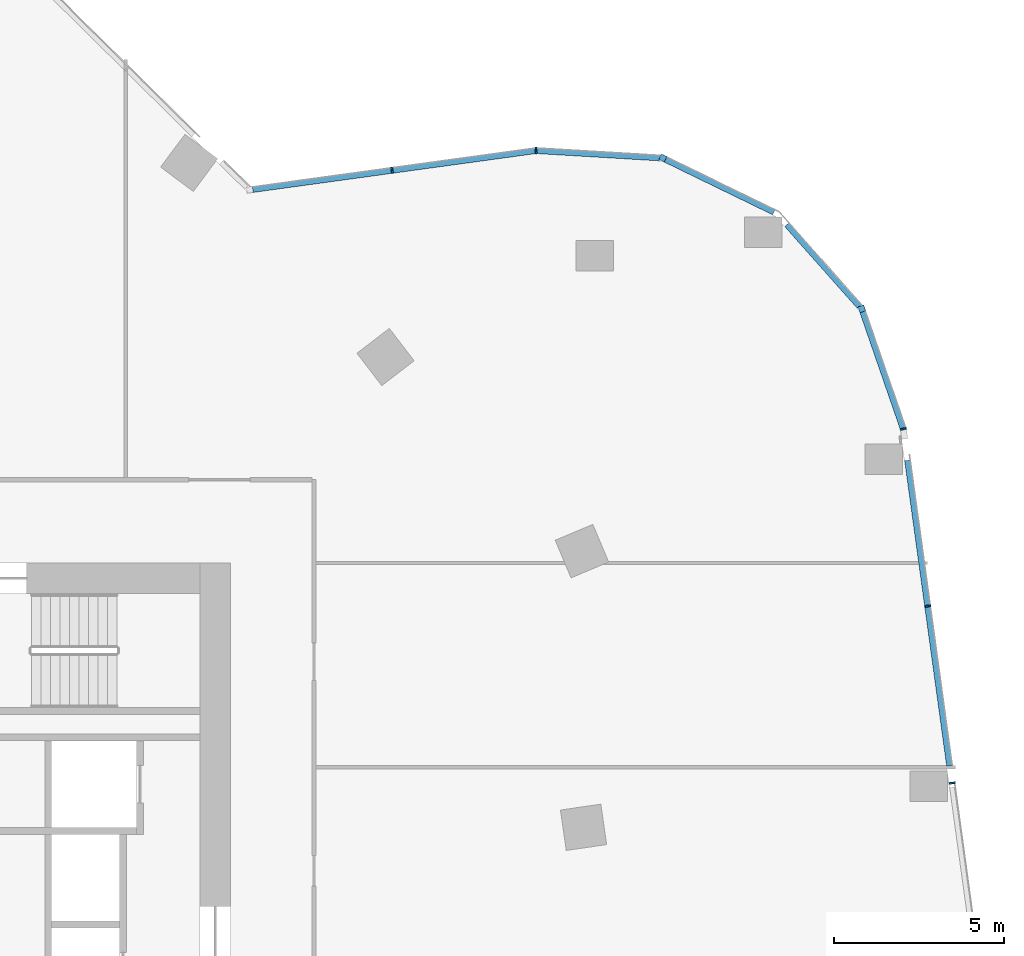
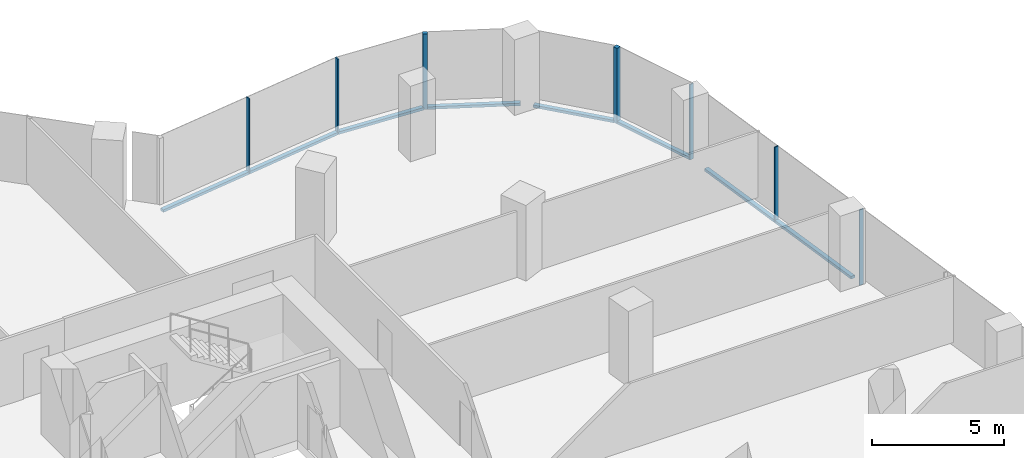
# One storey, part 11 of 27: 13 members, 6 elements without a shape of their own.
"""IFC4 building model written with IfcOpenShell, lengths in metres."""

from ifc_helpers import new_model, si_unit, direction, frame, origin, origin_2d, place, context, subcontext, project, spatial, rectangle, extrude, material, material_profile, profile_set, type_object, element, aggregate, save


model = new_model("IFC4")

# Units and contexts
model_context = context("Model", 3, precision=1e-05, world=origin(), true_north=direction((0.0, 1.0)))
body_context = subcontext(model_context, "Body", "Model", "MODEL_VIEW")
ifc_project = project(units=[si_unit("LENGTHUNIT", "METRE"), si_unit("AREAUNIT", "SQUARE_METRE"), si_unit("VOLUMEUNIT", "CUBIC_METRE"), si_unit("PLANEANGLEUNIT", "RADIAN"), si_unit("MASSUNIT", "GRAM", prefix="KILO")], contexts=[model_context])

# Site, building, storey
site_placement = place(None, origin())
site = spatial("IfcSite", under=ifc_project, at=site_placement, CompositionType="ELEMENT")
building_placement = place(site_placement, origin())
building = spatial("IfcBuilding", under=site, at=building_placement, Name="Orlundy Tower", CompositionType="ELEMENT")
storey_placement = place(building_placement, frame((0.0, 0.0, 192.10009765625)))
storey = spatial("IfcBuildingStorey", under=building, at=storey_placement, Name="L50", CompositionType="ELEMENT", Elevation=192.10009765625)

# Curtain wall, member
ifc_material_1 = material(Name="Aluminium bronze anodised", Category="aluminium")
curtain_wall_type = type_object("IfcCurtainWallType", Name="CW1 wall", PredefinedType="NOTDEFINED", material=ifc_material_1)
curtain_wall_1_placement = place(storey_placement, origin())
curtain_wall_1 = element("IfcCurtainWall", 1, at=curtain_wall_1_placement, inside=storey, type_object=curtain_wall_type, Name="CW1 run 08", PredefinedType="NOTDEFINED")
ifc_material_2 = material(Name="Aluminium bronze anodised", Category="aluminium")
ifc_material_profile_1 = material_profile(ifc_material_2, rectangle(XDim=0.179931640625, YDim=0.179931640625, at=origin_2d()), Name="CW1 corner post 180x180")
ifc_profile_set_1 = profile_set([ifc_material_profile_1], Name="Aluminium bronze anodised")
member_type_1 = type_object("IfcMemberType", Name="CW1 corner post 180x180", PredefinedType="MULLION", material=ifc_profile_set_1)
member_1_placement = place(storey_placement, frame((31.708251953125, 23.90673828125, -0.420166015625), z_axis=(0.0, 0.0, 1.0), x_axis=(0.43725937423, 0.89933544334, 0.0)))
member_1 = element("IfcMember", 2, at=member_1_placement, type_object=member_type_1, Name="CW1 mullion 29", PredefinedType="MULLION", context=body_context, shape_type="SweptSolid", body=[
    extrude(rectangle(XDim=0.179931640625, YDim=0.179931640625, at=origin_2d()), origin(), (0.0, 0.0, 1.0), 3.5),
])

curtain_wall_2_placement = place(storey_placement, origin())
curtain_wall_2 = element("IfcCurtainWall", 3, at=curtain_wall_2_placement, inside=storey, type_object=curtain_wall_type, Name="CW1 run 010", PredefinedType="NOTDEFINED")
member_2_placement = place(storey_placement, frame((37.55810546875, 19.471435546875, -0.420166015625), z_axis=(0.0, 0.0, 1.0), x_axis=(0.945034174317, 0.32697157273, 0.0)))
member_2 = element("IfcMember", 4, at=member_2_placement, type_object=member_type_1, Name="CW1 mullion 31", PredefinedType="MULLION", context=body_context, shape_type="SweptSolid", body=[
    extrude(rectangle(XDim=0.179931640625, YDim=0.179931640625, at=origin_2d()), origin(), (0.0, 0.0, 1.0), 3.5),
])

curtain_wall_3_placement = place(storey_placement, origin())
curtain_wall_3 = element("IfcCurtainWall", 5, at=curtain_wall_3_placement, inside=storey, type_object=curtain_wall_type, Name="CW1 run 06", PredefinedType="NOTDEFINED")
ifc_material_3 = material(Name="Aluminium bronze anodised", Category="aluminium")
ifc_material_profile_2 = material_profile(ifc_material_3, rectangle(XDim=0.179931640625, YDim=0.050048828125, at=origin_2d()), Name="CW1 mullion 50x180")
ifc_profile_set_2 = profile_set([ifc_material_profile_2], Name="Aluminium bronze anodised")
member_type_2 = type_object("IfcMemberType", Name="CW1 mullion 50x180", PredefinedType="MULLION", material=ifc_profile_set_2)
member_3_placement = place(storey_placement, frame((23.746337890625, 23.546142578125, -0.420166015625), z_axis=(0.0, 0.0, 1.0), x_axis=(-0.136185270904, 0.990683386349, 0.0)))
member_3 = element("IfcMember", 6, at=member_3_placement, type_object=member_type_2, Name="CW1 mullion 27", PredefinedType="MULLION", context=body_context, shape_type="SweptSolid", body=[
    extrude(rectangle(XDim=0.179931640625, YDim=0.050048828125, at=origin_2d()), origin(), (0.0, 0.0, 1.0), 3.5),
])

curtain_wall_4_placement = place(storey_placement, origin())
curtain_wall_4 = element("IfcCurtainWall", 7, at=curtain_wall_4_placement, inside=storey, type_object=curtain_wall_type, Name="CW1 run 07", PredefinedType="NOTDEFINED")
member_4_placement = place(storey_placement, frame((27.9814453125, 24.12841796875, -0.420166015625), z_axis=(0.0, 0.0, 1.0), x_axis=(-0.038600530581, 0.9992547218, 0.0)))
member_4 = element("IfcMember", 8, at=member_4_placement, type_object=member_type_2, Name="CW1 mullion 28", PredefinedType="MULLION", context=body_context, shape_type="SweptSolid", body=[
    extrude(rectangle(XDim=0.179931640625, YDim=0.050048828125, at=origin_2d()), origin(), (0.0, 0.0, 1.0), 3.5),
])

# Curtain wall, members
curtain_wall_5_placement = place(storey_placement, origin())
curtain_wall_5 = element("IfcCurtainWall", 9, at=curtain_wall_5_placement, inside=storey, type_object=curtain_wall_type, Name="CW1 run 011", PredefinedType="NOTDEFINED")
member_5_placement = place(storey_placement, frame((38.779052734375, 15.943115234375, -0.420166015625), z_axis=(0.0, 0.0, 1.0), x_axis=(0.972536597982, 0.232750006628, 0.0)))
member_5 = element("IfcMember", 10, at=member_5_placement, type_object=member_type_2, Name="CW1 mullion 32", PredefinedType="MULLION", context=body_context, shape_type="SweptSolid", body=[
    extrude(rectangle(XDim=0.179931640625, YDim=0.050048828125, at=origin_2d()), origin(), (0.0, 0.0, 1.0), 3.5),
])
member_6_placement = place(storey_placement, frame((39.49560546875, 10.733154296875, -0.420166015625), z_axis=(0.0, 0.0, 1.0), x_axis=(0.990669519619, 0.13628610677, 0.0)))
member_6 = element("IfcMember", 11, at=member_6_placement, type_object=member_type_2, Name="CW1 mullion 33", PredefinedType="MULLION", context=body_context, shape_type="SweptSolid", body=[
    extrude(rectangle(XDim=0.179931640625, YDim=0.050048828125, at=origin_2d()), origin(), (0.0, 0.0, 1.0), 3.5),
])
member_7_placement = place(storey_placement, frame((40.211181640625, 5.5322265625, -0.420166015625), z_axis=(0.0, 0.0, 1.0), x_axis=(0.990669519619, 0.13628610677, 0.0)))
member_7 = element("IfcMember", 12, at=member_7_placement, type_object=member_type_2, Name="CW1 mullion 34", PredefinedType="MULLION", context=body_context, shape_type="SweptSolid", body=[
    extrude(rectangle(XDim=0.179931640625, YDim=0.050048828125, at=origin_2d()), origin(), (0.0, 0.0, 1.0), 3.5),
])

# Member
ifc_material_4 = material(Name="Aluminium bronze anodised", Category="aluminium")
ifc_material_profile_3 = material_profile(ifc_material_4, rectangle(XDim=0.179931640625, YDim=0.1201171875, at=origin_2d()), Name="CW1 transom 180x120")
ifc_profile_set_3 = profile_set([ifc_material_profile_3], Name="Aluminium bronze anodised")
member_type_3 = type_object("IfcMemberType", Name="CW1 transom 180x120", PredefinedType="USERDEFINED", material=ifc_profile_set_3)
member_8_placement = place(storey_placement, frame((19.65283203125, 22.9833984375, -0.360107421875), z_axis=(0.990681394628, 0.136199758946, 0.0), x_axis=(-0.136199758946, 0.990681394628, 0.0)))
member_8 = element("IfcMember", 13, at=member_8_placement, type_object=member_type_3, Name="CW1 transom", ObjectType="TRANSOM", PredefinedType="USERDEFINED", context=body_context, shape_type="SweptSolid", body=[
    extrude(rectangle(XDim=0.179931640625, YDim=0.1201171875, at=origin_2d()), origin(), (0.0, 0.0, 1.0), 8.3818359375),
])

aggregate(curtain_wall_3, [member_3, member_8])

member_9_placement = place(storey_placement, frame((28.006591796875, 24.126953125, -0.360107421875), z_axis=(0.998236396732, -0.059364098912, 0.0), x_axis=(0.059364098912, 0.998236396732, 0.0)))
member_9 = element("IfcMember", 14, at=member_9_placement, type_object=member_type_3, Name="CW1 transom", ObjectType="TRANSOM", PredefinedType="USERDEFINED", context=body_context, shape_type="SweptSolid", body=[
    extrude(rectangle(XDim=0.179931640625, YDim=0.1201171875, at=origin_2d()), origin(), (0.0, 0.0, 1.0), 3.61083984375),
])

aggregate(curtain_wall_4, [member_4, member_9])

member_10_placement = place(storey_placement, frame((31.7890625, 23.867431640625, -0.360107421875), z_axis=(0.899349404958, -0.437230657435, 0.0), x_axis=(0.437230657435, 0.899349404958, 0.0)))
member_10 = element("IfcMember", 15, at=member_10_placement, type_object=member_type_3, Name="CW1 transom", ObjectType="TRANSOM", PredefinedType="USERDEFINED", context=body_context, shape_type="SweptSolid", body=[
    extrude(rectangle(XDim=0.179931640625, YDim=0.1201171875, at=origin_2d()), origin(), (0.0, 0.0, 1.0), 3.541259765625),
])

aggregate(curtain_wall_1, [member_1, member_10])

# Curtain wall, member
curtain_wall_6_placement = place(storey_placement, origin())
curtain_wall_6 = element("IfcCurtainWall", 16, at=curtain_wall_6_placement, inside=storey, type_object=curtain_wall_type, Name="CW1 run 09", PredefinedType="NOTDEFINED")
member_11_placement = place(storey_placement, frame((35.35595703125, 21.952880859375, -0.360107421875), z_axis=(0.663780171521, -0.747927726385, 0.0), x_axis=(0.747927726385, 0.663780171521, 0.0)))
member_11 = element("IfcMember", 17, at=member_11_placement, type_object=member_type_3, Name="CW1 transom", ObjectType="TRANSOM", PredefinedType="USERDEFINED", context=body_context, shape_type="SweptSolid", body=[
    extrude(rectangle(XDim=0.179931640625, YDim=0.1201171875, at=origin_2d()), origin(), (0.0, 0.0, 1.0), 3.220458984375),
])
aggregate(curtain_wall_6, [member_11])

# Member
member_12_placement = place(storey_placement, frame((37.587646484375, 19.38623046875, -0.360107421875), z_axis=(0.326976148549, -0.945032591121, 0.0), x_axis=(0.945032591121, 0.326976148549, 0.0)))
member_12 = element("IfcMember", 18, at=member_12_placement, type_object=member_type_3, Name="CW1 transom", ObjectType="TRANSOM", PredefinedType="USERDEFINED", context=body_context, shape_type="SweptSolid", body=[
    extrude(rectangle(XDim=0.179931640625, YDim=0.1201171875, at=origin_2d()), origin(), (0.0, 0.0, 1.0), 3.618408203125),
])

aggregate(curtain_wall_2, [member_2, member_12])

member_13_placement = place(storey_placement, frame((38.906005859375, 15.01953125, -0.360107421875), z_axis=(0.136288378203, -0.990669207136, 0.0), x_axis=(0.990669207136, 0.136288378203, 0.0)))
member_13 = element("IfcMember", 19, at=member_13_placement, type_object=member_type_3, Name="CW1 transom", ObjectType="TRANSOM", PredefinedType="USERDEFINED", context=body_context, shape_type="SweptSolid", body=[
    extrude(rectangle(XDim=0.179931640625, YDim=0.1201171875, at=origin_2d()), origin(), (0.0, 0.0, 1.0), 9.06591796875),
])

aggregate(curtain_wall_5, [member_5, member_6, member_7, member_13])

save(model, "model.ifc")
